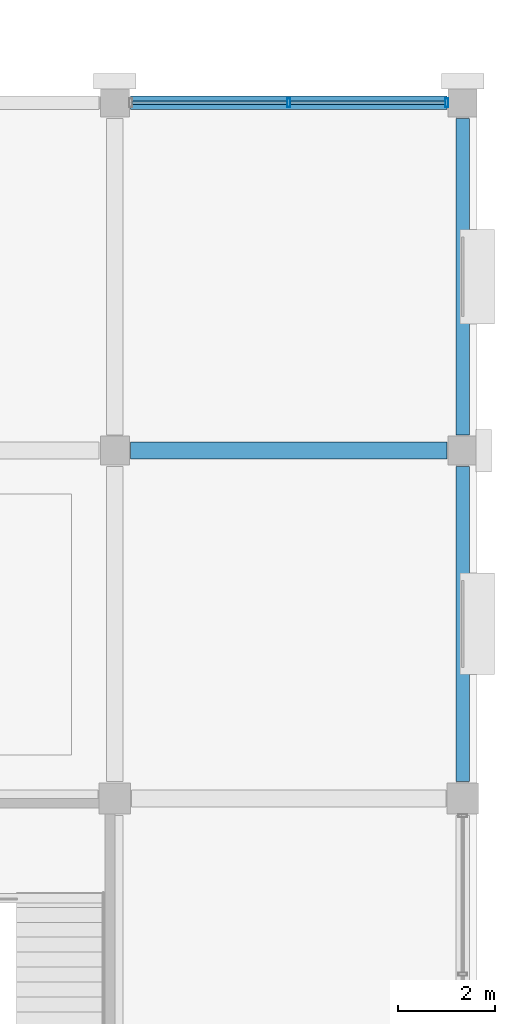
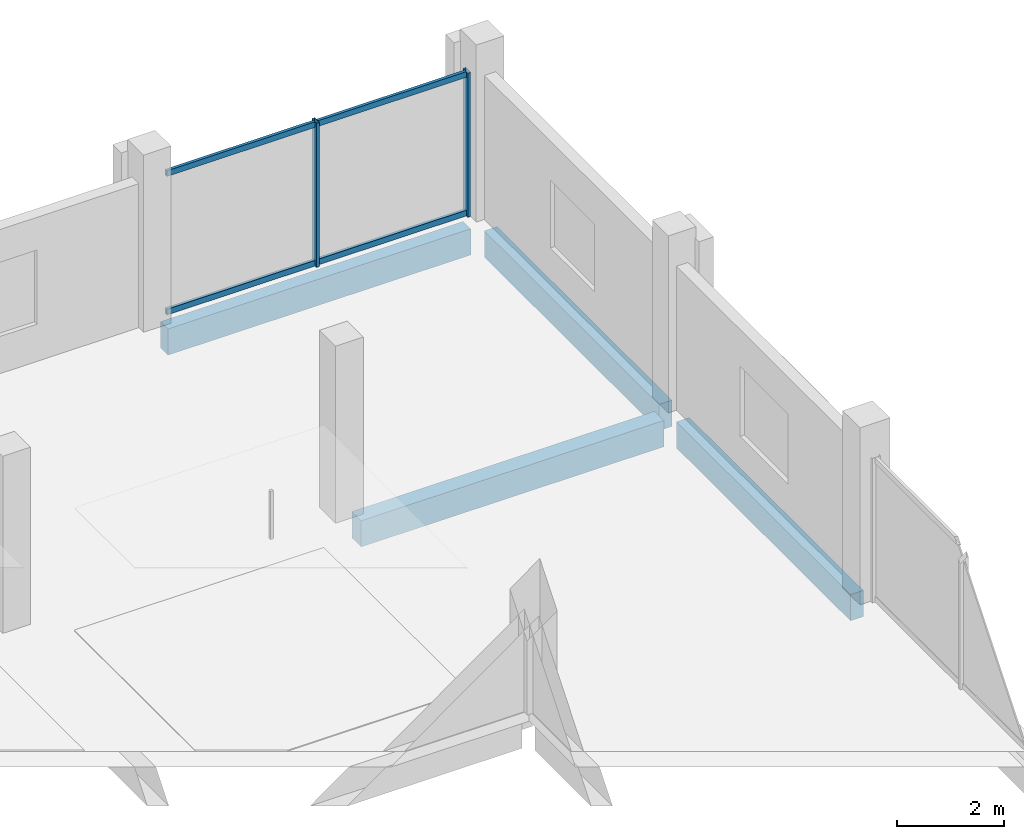
# One storey, part 47 of 77: 6 members, 4 beams, 1 element without a shape of its own.
"""IFC4 building model written with IfcOpenShell, lengths in metres."""

from ifc_helpers import new_model, si_unit, direction, frame, origin, origin_2d, place, context, subcontext, project, spatial, rectangle, hollow_rectangle, extrude, material, layer, layer_set, material_profile, profile_set, type_object, element, aggregate, save


model = new_model("IFC4")

# Units and contexts
model_context = context("Model", 3, precision=1e-05, world=origin(), true_north=direction((0.0, 1.0)))
body_context = subcontext(model_context, "Body", "Model", "MODEL_VIEW")
ifc_project = project(units=[si_unit("LENGTHUNIT", "METRE"), si_unit("AREAUNIT", "SQUARE_METRE"), si_unit("VOLUMEUNIT", "CUBIC_METRE"), si_unit("PLANEANGLEUNIT", "RADIAN"), si_unit("MASSUNIT", "GRAM", prefix="KILO")], contexts=[model_context])

# Site, building, storey
site_placement = place(None, origin())
site = spatial("IfcSite", under=ifc_project, at=site_placement, CompositionType="ELEMENT")
building_placement = place(site_placement, origin())
building = spatial("IfcBuilding", under=site, at=building_placement, Name="Kangsadwip Square Police Headquarters", CompositionType="ELEMENT")
storey_placement = place(building_placement, frame((0.0, 0.0, 17.550048828125)))
storey = spatial("IfcBuildingStorey", under=building, at=storey_placement, Name="L04", CompositionType="ELEMENT", Elevation=17.550048828125)

# Curtain wall, members
ifc_material_1 = material(Name="Thermally broken anodised aluminium AW-6063-T6", Category="aluminium")
ifc_layer = layer(ifc_material_1, 0.159912109375)
ifc_layer_set = layer_set([ifc_layer], Name="Thermally broken anodised aluminium AW-6063-T6")
curtain_wall_type = type_object("IfcCurtainWallType", Name="UnitisedCw6610x3300", PredefinedType="NOTDEFINED", material=ifc_layer_set)
curtain_wall_placement = place(storey_placement, origin())
curtain_wall = element("IfcCurtainWall", 1, at=curtain_wall_placement, inside=storey, type_object=curtain_wall_type, Name="Curtain Wall CW-L04-1587-1152", PredefinedType="NOTDEFINED")
ifc_material_2 = material(Name="Thermally broken anodised aluminium AW-6063-T6", Category="aluminium")
ifc_material_profile_1 = material_profile(ifc_material_2, hollow_rectangle(XDim=0.06494140625, YDim=0.179931640625, WallThickness=0.00390625, at=origin_2d()), Name="CWM 180X65X4")
ifc_profile_set_1 = profile_set([ifc_material_profile_1], Name="Thermally broken anodised aluminium AW-6063-T6")
member_type_1 = type_object("IfcMemberType", Name="CwMullion160x65", PredefinedType="MULLION", material=ifc_profile_set_1)
member_1_placement = place(storey_placement, frame((162.0, 115.199951171875, 0.0), z_axis=(0.0, 0.0, 1.0), x_axis=(1.0, 0.0, 0.0)))
member_1 = element("IfcMember", 2, at=member_1_placement, type_object=member_type_1, Name="CW-44 mullion 2", PredefinedType="MULLION", context=body_context, shape_type="SweptSolid", body=[
    extrude(hollow_rectangle(XDim=0.06494140625, YDim=0.179931640625, WallThickness=0.00390625, at=origin_2d()), origin(), (0.0, 0.0, 1.0), 3.300048828125),
])
member_2_placement = place(storey_placement, frame((165.2724609375, 115.199951171875, 0.0), z_axis=(0.0, 0.0, 1.0), x_axis=(1.0, 0.0, 0.0)))
member_2 = element("IfcMember", 3, at=member_2_placement, type_object=member_type_1, Name="CW-44 mullion 3", PredefinedType="MULLION", context=body_context, shape_type="SweptSolid", body=[
    extrude(hollow_rectangle(XDim=0.06494140625, YDim=0.179931640625, WallThickness=0.00390625, at=origin_2d()), origin(), (0.0, 0.0, 1.0), 3.300048828125),
])
ifc_material_3 = material(Name="Thermally broken anodised aluminium AW-6063-T6", Category="aluminium")
ifc_material_profile_2 = material_profile(ifc_material_3, hollow_rectangle(XDim=0.06494140625, YDim=0.1298828125, WallThickness=0.00390625, at=origin_2d()), Name="CWT 130X65X4")
ifc_profile_set_2 = profile_set([ifc_material_profile_2], Name="Thermally broken anodised aluminium AW-6063-T6")
member_type_2 = type_object("IfcMemberType", Name="CwTransom140x60", PredefinedType="USERDEFINED", material=ifc_profile_set_2)
member_3_placement = place(storey_placement, frame((158.760009765625, 115.199951171875, 0.06494140625), z_axis=(1.0, 0.0, 0.0), x_axis=(0.0, 1.0, 0.0)))
member_3 = element("IfcMember", 4, at=member_3_placement, type_object=member_type_2, Name="CW-44 transom 1.1", ObjectType="TRANSOM", PredefinedType="USERDEFINED", context=body_context, shape_type="SweptSolid", body=[
    extrude(hollow_rectangle(XDim=0.06494140625, YDim=0.1298828125, WallThickness=0.00390625, at=origin_2d()), origin(), (0.0, 0.0, 1.0), 3.20751953125),
])
member_4_placement = place(storey_placement, frame((158.760009765625, 115.199951171875, 3.23486328125), z_axis=(1.0, 0.0, 0.0), x_axis=(0.0, 1.0, 0.0)))
member_4 = element("IfcMember", 5, at=member_4_placement, type_object=member_type_2, Name="CW-44 transom 1.2", ObjectType="TRANSOM", PredefinedType="USERDEFINED", context=body_context, shape_type="SweptSolid", body=[
    extrude(hollow_rectangle(XDim=0.06494140625, YDim=0.1298828125, WallThickness=0.00390625, at=origin_2d()), origin(), (0.0, 0.0, 1.0), 3.20751953125),
])
member_5_placement = place(storey_placement, frame((162.032470703125, 115.199951171875, 0.06494140625), z_axis=(1.0, 0.0, 0.0), x_axis=(0.0, 1.0, 0.0)))
member_5 = element("IfcMember", 6, at=member_5_placement, type_object=member_type_2, Name="CW-44 transom 2.1", ObjectType="TRANSOM", PredefinedType="USERDEFINED", context=body_context, shape_type="SweptSolid", body=[
    extrude(hollow_rectangle(XDim=0.06494140625, YDim=0.1298828125, WallThickness=0.00390625, at=origin_2d()), origin(), (0.0, 0.0, 1.0), 3.20751953125),
])
member_6_placement = place(storey_placement, frame((162.032470703125, 115.199951171875, 3.23486328125), z_axis=(1.0, 0.0, 0.0), x_axis=(0.0, 1.0, 0.0)))
member_6 = element("IfcMember", 7, at=member_6_placement, type_object=member_type_2, Name="CW-44 transom 2.2", ObjectType="TRANSOM", PredefinedType="USERDEFINED", context=body_context, shape_type="SweptSolid", body=[
    extrude(hollow_rectangle(XDim=0.06494140625, YDim=0.1298828125, WallThickness=0.00390625, at=origin_2d()), origin(), (0.0, 0.0, 1.0), 3.20751953125),
])
aggregate(curtain_wall, [member_1, member_2, member_3, member_4, member_5, member_6])

# Beams
ifc_material_4 = material(Name="Concrete M35 (35 MPa)", Category="concrete")
ifc_material_profile_3 = material_profile(ifc_material_4, rectangle(XDim=0.35009765625, YDim=0.60009765625, at=origin_2d()), Name="RC BM 600X350")
ifc_profile_set_3 = profile_set([ifc_material_profile_3], Name="Concrete M35 (35 MPa)")
beam_type_1 = type_object("IfcBeamType", Name="RcBeam600x350", PredefinedType="BEAM", material=ifc_profile_set_3)
beam_1_placement = place(storey_placement, frame((158.72509765625, 108.0, -0.5400390625), z_axis=(1.0, 0.0, 0.0), x_axis=(0.0, 1.0, 0.0)))
element("IfcBeam", 8, at=beam_1_placement, inside=storey, type_object=beam_type_1, Name="Beam BM-L04-X-22-15", PredefinedType="BEAM", context=body_context, shape_type="SweptSolid", body=[
    extrude(rectangle(XDim=0.35009765625, YDim=0.60009765625, at=origin_2d()), origin(), (0.0, 0.0, 1.0), 6.5498046875),
])
ifc_material_5 = material(Name="Concrete M40 (40 MPa)", Category="concrete")
ifc_material_profile_4 = material_profile(ifc_material_5, rectangle(XDim=0.280029296875, YDim=0.60009765625, at=origin_2d()), Name="RC SPN 600X280")
ifc_profile_set_4 = profile_set([ifc_material_profile_4], Name="Concrete M40 (40 MPa)")
beam_type_2 = type_object("IfcBeamType", Name="RcSpandrel600x280", PredefinedType="SPANDREL", material=ifc_profile_set_4)
beam_2_placement = place(storey_placement, frame((158.72509765625, 115.199951171875, -0.5400390625), z_axis=(1.0, 0.0, 0.0), x_axis=(0.0, 1.0, 0.0)))
element("IfcBeam", 9, at=beam_2_placement, inside=storey, type_object=beam_type_2, Name="Beam BM-L04-X-22-16", PredefinedType="SPANDREL", context=body_context, shape_type="SweptSolid", body=[
    extrude(rectangle(XDim=0.280029296875, YDim=0.60009765625, at=origin_2d()), origin(), (0.0, 0.0, 1.0), 6.5498046875),
])
beam_3_placement = place(storey_placement, frame((165.60009765625, 101.14990234375, -0.5400390625), z_axis=(0.0, 1.0, 0.0), x_axis=(-1.0, 0.0, 0.0)))
element("IfcBeam", 10, at=beam_3_placement, inside=storey, type_object=beam_type_2, Name="Beam BM-L04-Y-23-14", PredefinedType="SPANDREL", context=body_context, shape_type="SweptSolid", body=[
    extrude(rectangle(XDim=0.280029296875, YDim=0.60009765625, at=origin_2d()), origin(), (0.0, 0.0, 1.0), 6.525146484375),
])
beam_4_placement = place(storey_placement, frame((165.60009765625, 108.324951171875, -0.5400390625), z_axis=(0.0, 1.0, 0.0), x_axis=(-1.0, 0.0, 0.0)))
element("IfcBeam", 11, at=beam_4_placement, inside=storey, type_object=beam_type_2, Name="Beam BM-L04-Y-23-15", PredefinedType="SPANDREL", context=body_context, shape_type="SweptSolid", body=[
    extrude(rectangle(XDim=0.280029296875, YDim=0.60009765625, at=origin_2d()), origin(), (0.0, 0.0, 1.0), 6.550048828125),
])

save(model, "model.ifc")
